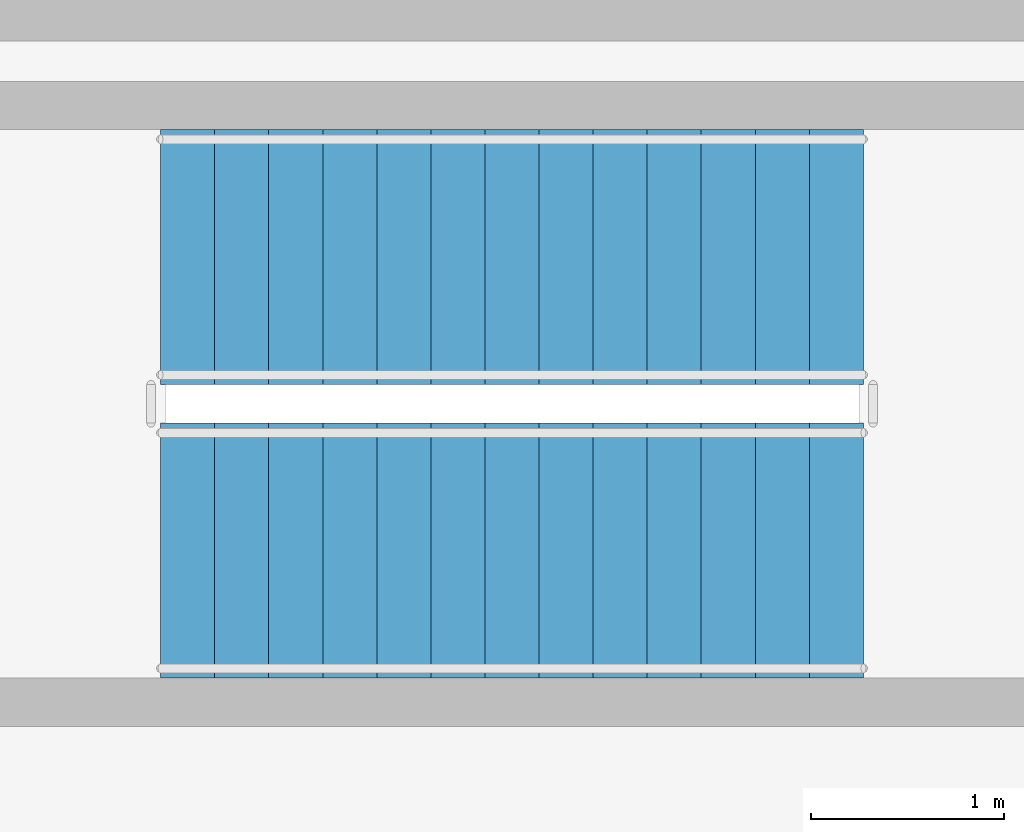
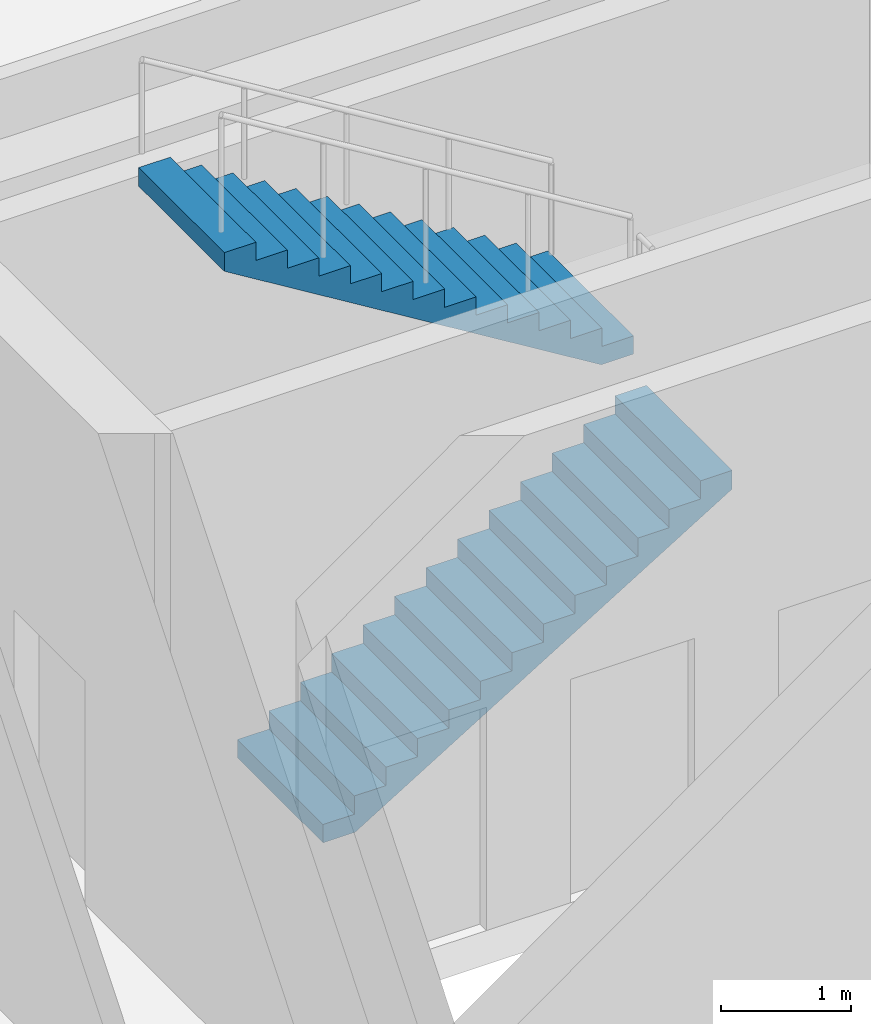
# One storey, part 21 of 22: 2 stair flights, 1 element without a shape of its own.
"""IFC4 building model written with IfcOpenShell, lengths in metres."""

from ifc_helpers import new_model, si_unit, direction, frame, origin, place, context, subcontext, project, spatial, polyline, outline, extrude, material, type_object, element, aggregate, save


model = new_model("IFC4")

# Units and contexts
model_context = context("Model", 3, precision=1e-05, world=origin(), true_north=direction((0.0, 1.0)))
body_context = subcontext(model_context, "Body", "Model", "MODEL_VIEW")
ifc_project = project(units=[si_unit("LENGTHUNIT", "METRE"), si_unit("AREAUNIT", "SQUARE_METRE"), si_unit("VOLUMEUNIT", "CUBIC_METRE"), si_unit("PLANEANGLEUNIT", "RADIAN"), si_unit("MASSUNIT", "GRAM", prefix="KILO")], contexts=[model_context])

# Site, building, storey
site_placement = place(None, origin())
site = spatial("IfcSite", under=ifc_project, at=site_placement, CompositionType="ELEMENT")
building_placement = place(site_placement, origin())
building = spatial("IfcBuilding", under=site, at=building_placement, Name="Solnavia Interchange Tower", CompositionType="ELEMENT")
storey_placement = place(building_placement, frame((0.0, 0.0, 115.199951171875)))
storey = spatial("IfcBuildingStorey", under=building, at=storey_placement, Name="L28", CompositionType="ELEMENT", Elevation=115.199951171875)

# Stair, stair flights
ifc_material = material(Name="Concrete C40/50", Category="concrete")
stair_type = type_object("IfcStairType", Name="Stair-Dogleg-RC", PredefinedType="HALF_TURN_STAIR", material=ifc_material)
stair_placement = place(storey_placement, origin())
stair = element("IfcStair", 1, at=stair_placement, inside=storey, type_object=stair_type, Name="L28 Core exit stair 3", PredefinedType="HALF_TURN_STAIR")
stair_flight_type = type_object("IfcStairFlightType", Name="StairFlight-RC-150", PredefinedType="STRAIGHT", material=ifc_material)
stair_flight_1_placement = place(storey_placement, frame((16.14990234375, 22.31005859375, 0.0), z_axis=(0.0, 0.0, 1.0), x_axis=(1.0, 0.0, 0.0)))
stair_flight_1 = element("IfcStairFlight", 2, at=stair_flight_1_placement, type_object=stair_flight_type, Name="ST-3 flight 1", NumberOfRisers=14, NumberOfTreads=13, PredefinedType="STRAIGHT", RiserHeight=0.171428571, TreadLength=0.28, context=body_context, shape_type="SweptSolid", body=[
    extrude(outline(polyline([(0.0, 0.0), (0.0, 0.17138671875), (0.280029296875, 0.17138671875), (0.280029296875, 0.3427734375), (0.56005859375, 0.3427734375), (0.56005859375, 0.514404296875), (0.840087890625, 0.514404296875), (0.840087890625, 0.685791015625), (1.1201171875, 0.685791015625), (1.1201171875, 0.857177734375), (1.39990234375, 0.857177734375), (1.39990234375, 1.028564453125), (1.679931640625, 1.028564453125), (1.679931640625, 1.199951171875), (1.9599609375, 1.199951171875), (1.9599609375, 1.371337890625), (2.239990234375, 1.371337890625), (2.239990234375, 1.54296875), (2.52001953125, 1.54296875), (2.52001953125, 1.71435546875), (2.800048828125, 1.71435546875), (2.800048828125, 1.8857421875), (3.080078125, 1.8857421875), (3.080078125, 2.05712890625), (3.360107421875, 2.05712890625), (3.360107421875, 2.228515625), (3.639892578125, 2.228515625), (3.639892578125, 2.39990234375), (3.639892578125, 2.052734375), (0.287109375, 0.0), (0.0, 0.0)])), frame((0.0, 0.66015625, 0.0), z_axis=(0.0, -1.0, 0.0), x_axis=(1.0, 0.0, 0.0)), (0.0, 0.0, 1.0), 1.320068359375),
])
stair_flight_2_placement = place(storey_placement, frame((19.7900390625, 23.830078125, 2.400146484375), z_axis=(0.0, 0.0, 1.0), x_axis=(-1.0, 0.0, 0.0)))
stair_flight_2 = element("IfcStairFlight", 3, at=stair_flight_2_placement, type_object=stair_flight_type, Name="ST-3 flight 2", NumberOfRisers=14, NumberOfTreads=13, PredefinedType="STRAIGHT", RiserHeight=0.171428571, TreadLength=0.28, context=body_context, shape_type="SweptSolid", body=[
    extrude(outline(polyline([(0.0, 0.0), (0.0, 0.17138671875), (0.280029296875, 0.17138671875), (0.280029296875, 0.3427734375), (0.56005859375, 0.3427734375), (0.56005859375, 0.514404296875), (0.840087890625, 0.514404296875), (0.840087890625, 0.685791015625), (1.1201171875, 0.685791015625), (1.1201171875, 0.857177734375), (1.39990234375, 0.857177734375), (1.39990234375, 1.028564453125), (1.679931640625, 1.028564453125), (1.679931640625, 1.199951171875), (1.9599609375, 1.199951171875), (1.9599609375, 1.371337890625), (2.239990234375, 1.371337890625), (2.239990234375, 1.54296875), (2.52001953125, 1.54296875), (2.52001953125, 1.71435546875), (2.800048828125, 1.71435546875), (2.800048828125, 1.8857421875), (3.080078125, 1.8857421875), (3.080078125, 2.05712890625), (3.360107421875, 2.05712890625), (3.360107421875, 2.228515625), (3.639892578125, 2.228515625), (3.639892578125, 2.39990234375), (3.639892578125, 2.052734375), (0.287109375, 0.0), (0.0, 0.0)])), frame((0.0, 0.66015625, 0.0), z_axis=(0.0, -1.0, 0.0), x_axis=(1.0, 0.0, 0.0)), (0.0, 0.0, 1.0), 1.320068359375),
])
aggregate(stair, [stair_flight_1, stair_flight_2])

save(model, "model.ifc")
